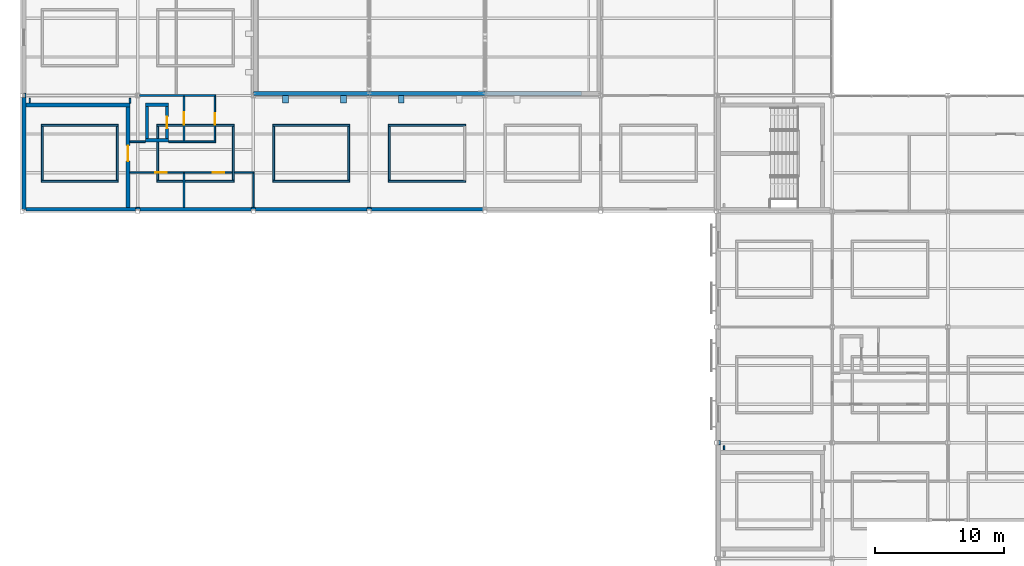
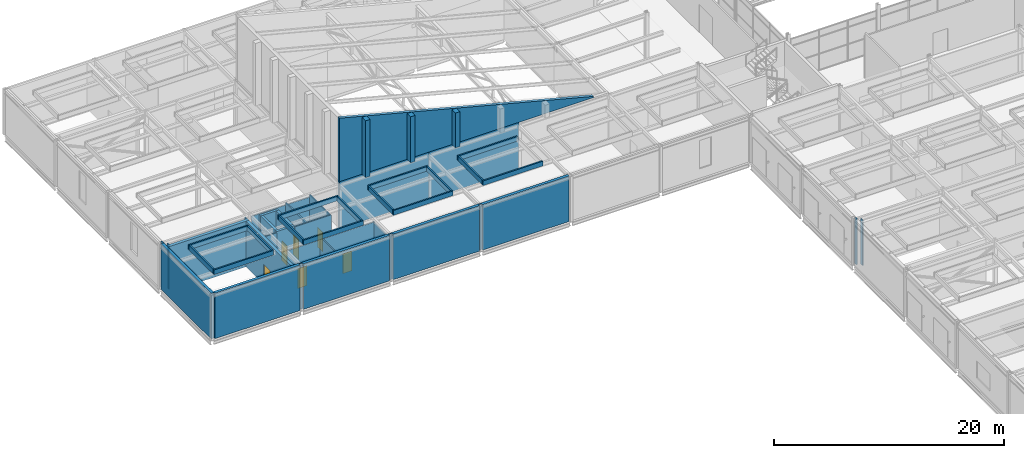
# One storey, part 76 of 115: 48 walls, 6 doors, 6 openings.
"""IFC4 building model written with IfcOpenShell, lengths in metres."""

from ifc_helpers import new_model, si_unit, direction, frame, frame_2d, origin, place, context, subcontext, project, spatial, polyline, rectangle, outline, extrude, material, layer, layer_set, type_object, element, fill, save


model = new_model("IFC4")

# Units and contexts
model_context = context("Model", 3, precision=1e-05, world=origin(), true_north=direction((0.0, 1.0)))
body_context = subcontext(model_context, "Body", "Model", "MODEL_VIEW")
ifc_project = project(units=[si_unit("LENGTHUNIT", "METRE"), si_unit("AREAUNIT", "SQUARE_METRE"), si_unit("VOLUMEUNIT", "CUBIC_METRE"), si_unit("PLANEANGLEUNIT", "RADIAN"), si_unit("MASSUNIT", "GRAM", prefix="KILO")], contexts=[model_context])

# Site, building, storey
site_placement = place(None, origin())
site = spatial("IfcSite", under=ifc_project, at=site_placement, CompositionType="ELEMENT")
building_placement = place(site_placement, origin())
building = spatial("IfcBuilding", under=site, at=building_placement, Name="Shorebreak Coast Museum", CompositionType="ELEMENT")
storey_placement = place(building_placement, frame((0.0, 0.0, 11.0)))
storey = spatial("IfcBuildingStorey", under=building, at=storey_placement, Name="L02", CompositionType="ELEMENT", Elevation=11.0)

# Walls
ifc_material_1 = material(Name="Concrete N50 (50 MPa)", Category="concrete")
ifc_layer_1 = layer(ifc_material_1, 0.14990234375)
ifc_layer_set_1 = layer_set([ifc_layer_1], Name="Concrete N50 (50 MPa)")
wall_type_1 = type_object("IfcWallType", Name="Column closure panel 150", PredefinedType="SOLIDWALL", material=ifc_layer_set_1)
wall_1_placement = place(storey_placement, frame((8.85009765625, 54.22509765625, 0.0), z_axis=(0.0, 0.0, 1.0), x_axis=(1.0, 0.0, 0.0)))
element("IfcWall", 1, at=wall_1_placement, inside=storey, type_object=wall_type_1, Name="Column closure panel L02 S 2G", PredefinedType="SOLIDWALL", context=body_context, shape_type="SweptSolid", body=[
    extrude(rectangle(XDim=0.322021484375, YDim=0.14990234375, at=frame_2d((0.1611328125, 0.0))), origin(), (0.0, 0.0, 1.0), 4.824951171875),
])
for number, where, z_axis, x_axis, name in (
    (2, (17.839111328125, 54.22509765625, 0.0), (0.0, 0.0, 1.0), (1.0, 0.0, 0.0), "Column closure panel L02 S 3G"),
    (3, (26.839111328125, 54.22509765625, 0.0), (0.0, 0.0, 1.0), (1.0, 0.0, 0.0), "Column closure panel L02 S 4G"),
):
    element("IfcWall", number, at=place(storey_placement, frame(where, z_axis=z_axis, x_axis=x_axis)), inside=storey, type_object=wall_type_1, Name=name, PredefinedType="SOLIDWALL", context=body_context, shape_type="SweptSolid", body=[
        extrude(rectangle(XDim=0.32177734375, YDim=0.14990234375, at=frame_2d((0.160888671875, 0.0))), origin(), (0.0, 0.0, 1.0), 4.824951171875),
    ])
for number, where, z_axis, x_axis, name in (
    (4, (0.22509765625, 62.85009765625, 0.0), (0.0, 0.0, 1.0), (0.0, 1.0, 0.0), "Column closure panel L02 W 1H"),
    (5, (54.22509765625, 35.85009765625, 0.0), (0.0, 0.0, 1.0), (0.0, 1.0, 0.0), "Column closure panel L02 W 7E"),
):
    element("IfcWall", number, at=place(storey_placement, frame(where, z_axis=z_axis, x_axis=x_axis)), inside=storey, type_object=wall_type_1, Name=name, PredefinedType="SOLIDWALL", context=body_context, shape_type="SweptSolid", body=[
        extrude(rectangle(XDim=0.322021484375, YDim=0.14990234375, at=frame_2d((0.1611328125, 0.0))), origin(), (0.0, 0.0, 1.0), 4.824951171875),
    ])
ifc_material_2 = material(Name="Plasterboard on steel stud", Category="steel")
ifc_layer_2 = layer(ifc_material_2, 0.10009765625)
ifc_layer_set_2 = layer_set([ifc_layer_2], Name="Plasterboard on steel stud")
wall_type_2 = type_object("IfcWallType", Name="Partition 100", PredefinedType="PARTITIONING", material=ifc_layer_set_2)
wall_2_placement = place(storey_placement, frame((0.60009765625, 62.449951171875, 0.0), z_axis=(0.0, 0.0, 1.0), x_axis=(0.0, 1.0, 0.0)))
element("IfcWall", 6, at=wall_2_placement, inside=storey, type_object=wall_type_2, Name="Partition L02-085", PredefinedType="PARTITIONING", context=body_context, shape_type="SweptSolid", body=[
    extrude(rectangle(XDim=0.330078125, YDim=0.10009765625, at=frame_2d((0.1650390625, 0.0))), origin(), (0.0, 0.0, 1.0), 4.741943359375),
])
wall_3_placement = place(storey_placement, frame((54.60009765625, 35.449951171875, 0.0), z_axis=(0.0, 0.0, 1.0), x_axis=(0.0, 1.0, 0.0)))
element("IfcWall", 7, at=wall_3_placement, inside=storey, type_object=wall_type_2, Name="Partition L02-101", PredefinedType="PARTITIONING", context=body_context, shape_type="SweptSolid", body=[
    extrude(rectangle(XDim=0.330078125, YDim=0.10009765625, at=frame_2d((0.1650390625, 0.0))), origin(), (0.0, 0.0, 1.0), 4.824951171875),
])

# Wall, openings, doors
ifc_material_3 = material(Name="Plasterboard on steel stud", Category="steel")
ifc_layer_3 = layer(ifc_material_3, 0.125)
ifc_layer_set_3 = layer_set([ifc_layer_3], Name="Plasterboard on steel stud")
wall_type_3 = type_object("IfcWallType", Name="Partition 125", PredefinedType="PARTITIONING", material=ifc_layer_set_3)
wall_4_placement = place(storey_placement, frame((8.39990234375, 57.0, 0.0), z_axis=(0.0, 0.0, 1.0), x_axis=(1.0, 0.0, 0.0)))
wall_4 = element("IfcWall", 8, at=wall_4_placement, inside=storey, type_object=wall_type_3, Name="Partition L02-035", PredefinedType="PARTITIONING", context=body_context, shape_type="SweptSolid", body=[
    extrude(rectangle(XDim=9.66259765625, YDim=0.125, at=frame_2d((4.831298828125, 0.0))), origin(), (0.0, 0.0, 1.0), 4.42236328125),
])
opening_1_placement = place(wall_4_placement, frame((1.949951171875, 0.0, 0.0)))
opening_1 = element("IfcOpeningElement", 9, at=opening_1_placement, cuts=wall_4, Name="Opening D2049", PredefinedType="OPENING", context=body_context, shape_type="SweptSolid", body=[
    extrude(rectangle(XDim=0.89990234375, YDim=2.10009765625, at=frame_2d((0.449951171875, 1.050048828125))), frame((0.0, 0.072509765625, 0.0), z_axis=(0.0, -1.0, 0.0), x_axis=(1.0, 0.0, 0.0)), (0.0, 0.0, 1.0), 0.14501953125),
])
opening_2_placement = place(wall_4_placement, frame((6.449951171875, 0.0, 0.0)))
opening_2 = element("IfcOpeningElement", 10, at=opening_2_placement, cuts=wall_4, Name="Opening D2050", PredefinedType="OPENING", context=body_context, shape_type="SweptSolid", body=[
    extrude(rectangle(XDim=0.89990234375, YDim=2.10009765625, at=frame_2d((0.449951171875, 1.050048828125))), frame((0.0, 0.072509765625, 0.0), z_axis=(0.0, -1.0, 0.0), x_axis=(1.0, 0.0, 0.0)), (0.0, 0.0, 1.0), 0.14501953125),
])
ifc_material_4 = material(Name="Timber", Category="wood")
door_type_1 = type_object("IfcDoorType", Name="Interior door 900x2100", OperationType="SINGLE_SWING_LEFT", PredefinedType="DOOR", material=ifc_material_4)
door_1_placement = place(opening_1_placement, origin())
door_1 = element("IfcDoor", 11, at=door_1_placement, inside=storey, type_object=door_type_1, Name="Door D2049 Accessible WC W", OperationType="SINGLE_SWING_RIGHT", OverallHeight=2.10009765625, OverallWidth=0.89990234375, PredefinedType="DOOR", context=body_context, shape_type="SweptSolid", body=[
    extrude(rectangle(XDim=0.89990234375, YDim=2.10009765625, at=frame_2d((0.449951171875, 1.050048828125))), frame((0.0, 0.02490234375, 0.0), z_axis=(0.0, -1.0, 0.0), x_axis=(1.0, 0.0, 0.0)), (0.0, 0.0, 1.0), 0.050048828125),
])
fill(opening_1, door_1)
door_2_placement = place(opening_2_placement, origin())
door_2 = element("IfcDoor", 12, at=door_2_placement, inside=storey, type_object=door_type_1, Name="Door D2050 Male WC W", OperationType="SINGLE_SWING_RIGHT", OverallHeight=2.10009765625, OverallWidth=0.89990234375, PredefinedType="DOOR", context=body_context, shape_type="SweptSolid", body=[
    extrude(rectangle(XDim=0.89990234375, YDim=2.10009765625, at=frame_2d((0.449951171875, 1.050048828125))), frame((0.0, 0.02490234375, 0.0), z_axis=(0.0, -1.0, 0.0), x_axis=(1.0, 0.0, 0.0)), (0.0, 0.0, 1.0), 0.050048828125),
])
fill(opening_2, door_2)

# Walls
wall_5_placement = place(storey_placement, frame((8.39990234375, 59.39990234375, 0.0), z_axis=(0.0, 0.0, 1.0), x_axis=(1.0, 0.0, 0.0)))
element("IfcWall", 13, at=wall_5_placement, inside=storey, type_object=wall_type_3, Name="Partition L02-037", PredefinedType="PARTITIONING", context=body_context, shape_type="SweptSolid", body=[
    extrude(rectangle(XDim=1.2001953125, YDim=0.125, at=frame_2d((0.60009765625, 0.0))), origin(), (0.0, 0.0, 1.0), 4.741943359375),
])
wall_6_placement = place(storey_placement, frame((11.39990234375, 59.39990234375, 0.0), z_axis=(0.0, 0.0, 1.0), x_axis=(1.0, 0.0, 0.0)))
element("IfcWall", 14, at=wall_6_placement, inside=storey, type_object=wall_type_3, Name="Partition L02-038", PredefinedType="PARTITIONING", context=body_context, shape_type="SweptSolid", body=[
    extrude(rectangle(XDim=3.66259765625, YDim=0.125, at=frame_2d((1.831298828125, 0.0))), origin(), (0.0, 0.0, 1.0), 4.741943359375),
])
wall_7_placement = place(storey_placement, frame((9.153564453125, 63.0, 0.0), z_axis=(0.0, 0.0, 1.0), x_axis=(1.0, 0.0, 0.0)))
element("IfcWall", 15, at=wall_7_placement, inside=storey, type_object=wall_type_3, Name="Partition L02-042", PredefinedType="PARTITIONING", context=body_context, shape_type="SweptSolid", body=[
    extrude(rectangle(XDim=5.908935546875, YDim=0.125, at=frame_2d((2.95458984375, 0.0))), origin(), (0.0, 0.0, 1.0), 4.469482421875),
])
wall_8_placement = place(storey_placement, frame((8.39990234375, 62.39990234375, 0.0), z_axis=(0.0, 0.0, 1.0), x_axis=(0.0, 1.0, 0.0)))
element("IfcWall", 16, at=wall_8_placement, inside=storey, type_object=wall_type_3, Name="Partition L02-087", PredefinedType="PARTITIONING", context=body_context, shape_type="SweptSolid", body=[
    extrude(rectangle(XDim=0.380126953125, YDim=0.125, at=frame_2d((0.18994140625, 0.0))), origin(), (0.0, 0.0, 1.0), 4.741943359375),
])
wall_9_placement = place(storey_placement, frame((12.60009765625, 54.300048828125, 0.0), z_axis=(0.0, 0.0, 1.0), x_axis=(0.0, 1.0, 0.0)))
element("IfcWall", 17, at=wall_9_placement, inside=storey, type_object=wall_type_3, Name="Partition L02-091", PredefinedType="PARTITIONING", context=body_context, shape_type="SweptSolid", body=[
    extrude(rectangle(XDim=2.637451171875, YDim=0.125, at=frame_2d((1.31884765625, 0.0))), origin(), (0.0, 0.0, 1.0), 4.741943359375),
])

# Wall, opening, door
wall_10_placement = place(storey_placement, frame((12.60009765625, 59.46240234375, 0.0), z_axis=(0.0, 0.0, 1.0), x_axis=(0.0, 1.0, 0.0)))
wall_10 = element("IfcWall", 18, at=wall_10_placement, inside=storey, type_object=wall_type_3, Name="Partition L02-092", PredefinedType="PARTITIONING", context=body_context, shape_type="SweptSolid", body=[
    extrude(rectangle(XDim=3.47509765625, YDim=0.125, at=frame_2d((1.737548828125, 0.0))), origin(), (0.0, 0.0, 1.0), 4.741943359375),
])
opening_3_placement = place(wall_10_placement, frame((1.25, 0.0, 0.0)))
opening_3 = element("IfcOpeningElement", 19, at=opening_3_placement, cuts=wall_10, Name="Opening D2047", PredefinedType="OPENING", context=body_context, shape_type="SweptSolid", body=[
    extrude(rectangle(XDim=1.0, YDim=2.10009765625, at=frame_2d((0.5, 1.050048828125))), frame((0.0, 0.072509765625, 0.0), z_axis=(0.0, -1.0, 0.0), x_axis=(1.0, 0.0, 0.0)), (0.0, 0.0, 1.0), 0.14501953125),
])
ifc_material_5 = material(Name="Timber", Category="wood")
door_type_2 = type_object("IfcDoorType", Name="Interior door 1000x2100", OperationType="SINGLE_SWING_LEFT", PredefinedType="DOOR", material=ifc_material_5)
door_3_placement = place(opening_3_placement, origin())
door_3 = element("IfcDoor", 20, at=door_3_placement, inside=storey, type_object=door_type_2, Name="Door D2047 Cleaner Store W", OperationType="SINGLE_SWING_RIGHT", OverallHeight=2.10009765625, OverallWidth=1.0, PredefinedType="DOOR", context=body_context, shape_type="SweptSolid", body=[
    extrude(rectangle(XDim=1.0, YDim=2.10009765625, at=frame_2d((0.5, 1.050048828125))), frame((0.0, 0.02490234375, 0.0), z_axis=(0.0, -1.0, 0.0), x_axis=(1.0, 0.0, 0.0)), (0.0, 0.0, 1.0), 0.050048828125),
])
fill(opening_3, door_3)

wall_11_placement = place(storey_placement, frame((15.0, 59.46240234375, 0.0), z_axis=(0.0, 0.0, 1.0), x_axis=(0.0, 1.0, 0.0)))
wall_11 = element("IfcWall", 21, at=wall_11_placement, inside=storey, type_object=wall_type_3, Name="Partition L02-093", PredefinedType="PARTITIONING", context=body_context, shape_type="SweptSolid", body=[
    extrude(rectangle(XDim=3.47509765625, YDim=0.125, at=frame_2d((1.737548828125, 0.0))), origin(), (0.0, 0.0, 1.0), 4.741943359375),
])
opening_4_placement = place(wall_11_placement, frame((1.25, 0.0, 0.0)))
opening_4 = element("IfcOpeningElement", 22, at=opening_4_placement, cuts=wall_11, Name="Opening D2048", PredefinedType="OPENING", context=body_context, shape_type="SweptSolid", body=[
    extrude(rectangle(XDim=0.89990234375, YDim=2.10009765625, at=frame_2d((0.449951171875, 1.050048828125))), frame((0.0, 0.072509765625, 0.0), z_axis=(0.0, -1.0, 0.0), x_axis=(1.0, 0.0, 0.0)), (0.0, 0.0, 1.0), 0.14501953125),
])
door_4_placement = place(opening_4_placement, origin())
door_4 = element("IfcDoor", 23, at=door_4_placement, inside=storey, type_object=door_type_1, Name="Door D2048 Female WC W", OperationType="SINGLE_SWING_RIGHT", OverallHeight=2.10009765625, OverallWidth=0.89990234375, PredefinedType="DOOR", context=body_context, shape_type="SweptSolid", body=[
    extrude(rectangle(XDim=0.89990234375, YDim=2.10009765625, at=frame_2d((0.449951171875, 1.050048828125))), frame((0.0, 0.02490234375, 0.0), z_axis=(0.0, -1.0, 0.0), x_axis=(1.0, 0.0, 0.0)), (0.0, 0.0, 1.0), 0.050048828125),
])
fill(opening_4, door_4)

# Walls
wall_12_placement = place(storey_placement, frame((18.0, 54.300048828125, 0.0), z_axis=(0.0, 0.0, 1.0), x_axis=(0.0, 1.0, 0.0)))
element("IfcWall", 24, at=wall_12_placement, inside=storey, type_object=wall_type_3, Name="Partition L02-094", PredefinedType="PARTITIONING", context=body_context, shape_type="SweptSolid", body=[
    extrude(rectangle(XDim=2.637451171875, YDim=0.125, at=frame_2d((1.31884765625, 0.0))), origin(), (0.0, 0.0, 1.0), 4.37109375),
])
ifc_material_6 = material(Name="Concrete N50 (50 MPa)", Category="concrete")
ifc_layer_4 = layer(ifc_material_6, 0.14990234375)
ifc_layer_set_4 = layer_set([ifc_layer_4], Name="Concrete N50 (50 MPa)")
wall_type_4 = type_object("IfcWallType", Name="Planter wall 150 high 500", PredefinedType="PARAPET", material=ifc_layer_set_4)
for number, where, z_axis, x_axis, name in (
    (25, (1.5, 56.324951171875, 5.0), (0.0, 0.0, 1.0), (1.0, 0.0, 0.0), "Planter WDECK-S 1 south wall"),
    (26, (1.5, 60.675048828125, 5.0), (0.0, 0.0, 1.0), (1.0, 0.0, 0.0), "Planter WDECK-S 1 north wall"),
):
    element("IfcWall", number, at=place(storey_placement, frame(where, z_axis=z_axis, x_axis=x_axis)), inside=storey, type_object=wall_type_4, Name=name, PredefinedType="PARAPET", context=body_context, shape_type="SweptSolid", body=[
        extrude(rectangle(XDim=6.0, YDim=0.14990234375, at=frame_2d((3.0, 0.0))), origin(), (0.0, 0.0, 1.0), 0.5),
    ])
for number, where, z_axis, x_axis, name in (
    (27, (1.574951171875, 56.39990234375, 5.0), (0.0, 0.0, 1.0), (0.0, 1.0, 0.0), "Planter WDECK-S 1 west wall"),
    (28, (7.425048828125, 56.39990234375, 5.0), (0.0, 0.0, 1.0), (0.0, 1.0, 0.0), "Planter WDECK-S 1 east wall"),
):
    element("IfcWall", number, at=place(storey_placement, frame(where, z_axis=z_axis, x_axis=x_axis)), inside=storey, type_object=wall_type_4, Name=name, PredefinedType="PARAPET", context=body_context, shape_type="SweptSolid", body=[
        extrude(rectangle(XDim=4.2001953125, YDim=0.14990234375, at=frame_2d((2.10009765625, 0.0))), origin(), (0.0, 0.0, 1.0), 0.5),
    ])
for number, where, z_axis, x_axis, name in (
    (29, (10.5, 56.324951171875, 5.0), (0.0, 0.0, 1.0), (1.0, 0.0, 0.0), "Planter WDECK-S 2 south wall"),
    (30, (10.5, 60.675048828125, 5.0), (0.0, 0.0, 1.0), (1.0, 0.0, 0.0), "Planter WDECK-S 2 north wall"),
):
    element("IfcWall", number, at=place(storey_placement, frame(where, z_axis=z_axis, x_axis=x_axis)), inside=storey, type_object=wall_type_4, Name=name, PredefinedType="PARAPET", context=body_context, shape_type="SweptSolid", body=[
        extrude(rectangle(XDim=6.0, YDim=0.14990234375, at=frame_2d((3.0, 0.0))), origin(), (0.0, 0.0, 1.0), 0.5),
    ])
for number, where, z_axis, x_axis, name in (
    (31, (10.574951171875, 56.39990234375, 5.0), (0.0, 0.0, 1.0), (0.0, 1.0, 0.0), "Planter WDECK-S 2 west wall"),
    (32, (16.425048828125, 56.39990234375, 5.0), (0.0, 0.0, 1.0), (0.0, 1.0, 0.0), "Planter WDECK-S 2 east wall"),
):
    element("IfcWall", number, at=place(storey_placement, frame(where, z_axis=z_axis, x_axis=x_axis)), inside=storey, type_object=wall_type_4, Name=name, PredefinedType="PARAPET", context=body_context, shape_type="SweptSolid", body=[
        extrude(rectangle(XDim=4.2001953125, YDim=0.14990234375, at=frame_2d((2.10009765625, 0.0))), origin(), (0.0, 0.0, 1.0), 0.5),
    ])
for number, where, z_axis, x_axis, name in (
    (33, (19.5, 56.324951171875, 5.0), (0.0, 0.0, 1.0), (1.0, 0.0, 0.0), "Planter WDECK-S 3 south wall"),
    (34, (19.5, 60.675048828125, 5.0), (0.0, 0.0, 1.0), (1.0, 0.0, 0.0), "Planter WDECK-S 3 north wall"),
):
    element("IfcWall", number, at=place(storey_placement, frame(where, z_axis=z_axis, x_axis=x_axis)), inside=storey, type_object=wall_type_4, Name=name, PredefinedType="PARAPET", context=body_context, shape_type="SweptSolid", body=[
        extrude(rectangle(XDim=6.0, YDim=0.14990234375, at=frame_2d((3.0, 0.0))), origin(), (0.0, 0.0, 1.0), 0.5),
    ])
for number, where, z_axis, x_axis, name in (
    (35, (19.574951171875, 56.39990234375, 5.0), (0.0, 0.0, 1.0), (0.0, 1.0, 0.0), "Planter WDECK-S 3 west wall"),
    (36, (25.425048828125, 56.39990234375, 5.0), (0.0, 0.0, 1.0), (0.0, 1.0, 0.0), "Planter WDECK-S 3 east wall"),
):
    element("IfcWall", number, at=place(storey_placement, frame(where, z_axis=z_axis, x_axis=x_axis)), inside=storey, type_object=wall_type_4, Name=name, PredefinedType="PARAPET", context=body_context, shape_type="SweptSolid", body=[
        extrude(rectangle(XDim=4.2001953125, YDim=0.14990234375, at=frame_2d((2.10009765625, 0.0))), origin(), (0.0, 0.0, 1.0), 0.5),
    ])
for number, where, z_axis, x_axis, name in (
    (37, (28.5, 56.324951171875, 5.0), (0.0, 0.0, 1.0), (1.0, 0.0, 0.0), "Planter WDECK-S 4 south wall"),
    (38, (28.5, 60.675048828125, 5.0), (0.0, 0.0, 1.0), (1.0, 0.0, 0.0), "Planter WDECK-S 4 north wall"),
):
    element("IfcWall", number, at=place(storey_placement, frame(where, z_axis=z_axis, x_axis=x_axis)), inside=storey, type_object=wall_type_4, Name=name, PredefinedType="PARAPET", context=body_context, shape_type="SweptSolid", body=[
        extrude(rectangle(XDim=6.0, YDim=0.14990234375, at=frame_2d((3.0, 0.0))), origin(), (0.0, 0.0, 1.0), 0.5),
    ])
wall_13_placement = place(storey_placement, frame((28.574951171875, 56.39990234375, 5.0), z_axis=(0.0, 0.0, 1.0), x_axis=(0.0, 1.0, 0.0)))
element("IfcWall", 39, at=wall_13_placement, inside=storey, type_object=wall_type_4, Name="Planter WDECK-S 4 west wall", PredefinedType="PARAPET", context=body_context, shape_type="SweptSolid", body=[
    extrude(rectangle(XDim=4.2001953125, YDim=0.14990234375, at=frame_2d((2.10009765625, 0.0))), origin(), (0.0, 0.0, 1.0), 0.5),
])
ifc_material_7 = material(Name="Concrete N50 (50 MPa)", Category="concrete")
ifc_layer_5 = layer(ifc_material_7, 0.300048828125)
ifc_layer_set_5 = layer_set([ifc_layer_5], Name="Concrete N50 (50 MPa)")
wall_type_5 = type_object("IfcWallType", Name="Precast board-marked panel 300", PredefinedType="SOLIDWALL", material=ifc_layer_set_5)
wall_14_placement = place(storey_placement, frame((9.172119140625, 54.14990234375, 0.0), z_axis=(0.0, 0.0, 1.0), x_axis=(1.0, 0.0, 0.0)))
element("IfcWall", 40, at=wall_14_placement, inside=storey, type_object=wall_type_5, Name="External wall L02 S 2G", PredefinedType="SOLIDWALL", context=body_context, shape_type="SweptSolid", body=[
    extrude(rectangle(XDim=8.6669921875, YDim=0.300048828125, at=frame_2d((4.33349609375, 0.0))), origin(), (0.0, 0.0, 1.0), 4.824951171875),
])
for number, where, z_axis, x_axis, name in (
    (41, (18.160888671875, 54.14990234375, 0.0), (0.0, 0.0, 1.0), (1.0, 0.0, 0.0), "External wall L02 S 3G"),
    (42, (27.160888671875, 54.14990234375, 0.0), (0.0, 0.0, 1.0), (1.0, 0.0, 0.0), "External wall L02 S 4G"),
):
    element("IfcWall", number, at=place(storey_placement, frame(where, z_axis=z_axis, x_axis=x_axis)), inside=storey, type_object=wall_type_5, Name=name, PredefinedType="SOLIDWALL", context=body_context, shape_type="SweptSolid", body=[
        extrude(rectangle(XDim=8.67822265625, YDim=0.300048828125, at=frame_2d((4.339111328125, 0.0))), origin(), (0.0, 0.0, 1.0), 4.824951171875),
    ])
ifc_material_8 = material(Name="Concrete N50 (50 MPa)", Category="concrete")
ifc_layer_6 = layer(ifc_material_8, 0.25)
ifc_layer_set_6 = layer_set([ifc_layer_6], Name="Concrete N50 (50 MPa)")
wall_type_6 = type_object("IfcWallType", Name="RC riser wall 250", PredefinedType="STANDARD", material=ifc_layer_set_6)
for number, where, z_axis, x_axis, name in (
    (43, (9.60009765625, 59.52490234375, 0.0), (0.0, 0.0, 1.0), (1.0, 0.0, 0.0), "Riser wall R-WC-W L02 S"),
    (44, (9.60009765625, 62.27490234375, 0.0), (0.0, 0.0, 1.0), (1.0, 0.0, 0.0), "Riser wall R-WC-W L02 N"),
):
    element("IfcWall", number, at=place(storey_placement, frame(where, z_axis=z_axis, x_axis=x_axis)), inside=storey, type_object=wall_type_6, Name=name, PredefinedType="STANDARD", context=body_context, shape_type="SweptSolid", body=[
        extrude(rectangle(XDim=1.7998046875, YDim=0.25, at=frame_2d((0.89990234375, 0.0))), origin(), (0.0, 0.0, 1.0), 4.824951171875),
    ])
wall_15_placement = place(storey_placement, frame((9.72509765625, 59.64990234375, 0.0), z_axis=(0.0, 0.0, 1.0), x_axis=(0.0, 1.0, 0.0)))
element("IfcWall", 45, at=wall_15_placement, inside=storey, type_object=wall_type_6, Name="Riser wall R-WC-W L02 W", PredefinedType="STANDARD", context=body_context, shape_type="SweptSolid", body=[
    extrude(rectangle(XDim=2.5, YDim=0.25, at=frame_2d((1.25, 0.0))), origin(), (0.0, 0.0, 1.0), 4.824951171875),
])

# Wall, opening, door
wall_16_placement = place(storey_placement, frame((11.27490234375, 59.64990234375, 0.0), z_axis=(0.0, 0.0, 1.0), x_axis=(0.0, 1.0, 0.0)))
wall_16 = element("IfcWall", 46, at=wall_16_placement, inside=storey, type_object=wall_type_6, Name="Riser wall R-WC-W L02 E", PredefinedType="STANDARD", context=body_context, shape_type="SweptSolid", body=[
    extrude(rectangle(XDim=2.5, YDim=0.25, at=frame_2d((1.25, 0.0))), origin(), (0.0, 0.0, 1.0), 4.824951171875),
])
opening_5_placement = place(wall_16_placement, frame((0.800048828125, 0.0, 0.0)))
opening_5 = element("IfcOpeningElement", 47, at=opening_5_placement, cuts=wall_16, Name="Opening D2603", PredefinedType="OPENING", context=body_context, shape_type="SweptSolid", body=[
    extrude(rectangle(XDim=0.89990234375, YDim=2.10009765625, at=frame_2d((0.449951171875, 1.050048828125))), frame((0.0, 0.135009765625, 0.0), z_axis=(0.0, -1.0, 0.0), x_axis=(1.0, 0.0, 0.0)), (0.0, 0.0, 1.0), 0.27001953125),
])
ifc_material_9 = material(Name="Steel Grade 300", Category="steel")
door_type_3 = type_object("IfcDoorType", Name="Riser door 900x2100", OperationType="SINGLE_SWING_LEFT", PredefinedType="DOOR", material=ifc_material_9)
door_5_placement = place(opening_5_placement, origin())
door_5 = element("IfcDoor", 48, at=door_5_placement, inside=storey, type_object=door_type_3, Name="Riser door R-WC-W L02", OperationType="SINGLE_SWING_LEFT", OverallHeight=2.10009765625, OverallWidth=0.89990234375, PredefinedType="DOOR", context=body_context, shape_type="SweptSolid", body=[
    extrude(rectangle(XDim=0.89990234375, YDim=2.10009765625, at=frame_2d((0.449951171875, 1.050048828125))), frame((0.0, 0.02490234375, 0.0), z_axis=(0.0, -1.0, 0.0), x_axis=(1.0, 0.0, 0.0)), (0.0, 0.0, 1.0), 0.050048828125),
])
fill(opening_5, door_5)

# Walls
ifc_material_10 = material(Name="Concrete N50 (50 MPa)", Category="concrete")
ifc_layer_7 = layer(ifc_material_10, 0.300048828125)
ifc_layer_set_7 = layer_set([ifc_layer_7], Name="Concrete N50 (50 MPa)")
wall_type_7 = type_object("IfcWallType", Name="RC wall 300", PredefinedType="SHEAR", material=ifc_layer_set_7)
wall_17_placement = place(storey_placement, frame((0.300048828125, 54.14990234375, 0.0), z_axis=(0.0, 0.0, 1.0), x_axis=(1.0, 0.0, 0.0)))
element("IfcWall", 49, at=wall_17_placement, inside=storey, type_object=wall_type_7, Name="Stair core wall ST05 L02 S", PredefinedType="SHEAR", context=body_context, shape_type="SweptSolid", body=[
    extrude(rectangle(XDim=8.550048828125, YDim=0.300048828125, at=frame_2d((4.27490234375, 0.0))), origin(), (0.0, 0.0, 1.0), 4.824951171875),
])
wall_18_placement = place(storey_placement, frame((0.300048828125, 62.25, 0.0), z_axis=(0.0, 0.0, 1.0), x_axis=(1.0, 0.0, 0.0)))
element("IfcWall", 50, at=wall_18_placement, inside=storey, type_object=wall_type_7, Name="Stair core wall ST05 L02 N", PredefinedType="SHEAR", context=body_context, shape_type="SweptSolid", body=[
    extrude(rectangle(XDim=8.099853515625, YDim=0.300048828125, at=frame_2d((4.0498046875, 0.0))), origin(), (0.0, 0.0, 1.0), 4.824951171875),
])
wall_19_placement = place(storey_placement, frame((0.14990234375, 54.14990234375, 0.0), z_axis=(0.0, 0.0, 1.0), x_axis=(0.0, 1.0, 0.0)))
element("IfcWall", 51, at=wall_19_placement, inside=storey, type_object=wall_type_7, Name="Stair core wall ST05 L02 W", PredefinedType="SHEAR", context=body_context, shape_type="SweptSolid", body=[
    extrude(rectangle(XDim=8.7001953125, YDim=0.300048828125, at=frame_2d((4.35009765625, 0.0))), origin(), (0.0, 0.0, 1.0), 4.824951171875),
])

# Wall, opening, door
wall_20_placement = place(storey_placement, frame((8.25, 54.300048828125, 0.0), z_axis=(0.0, 0.0, 1.0), x_axis=(0.0, 1.0, 0.0)))
wall_20 = element("IfcWall", 52, at=wall_20_placement, inside=storey, type_object=wall_type_7, Name="Stair core wall ST05 L02 E", PredefinedType="SHEAR", context=body_context, shape_type="SweptSolid", body=[
    extrude(rectangle(XDim=7.800048828125, YDim=0.300048828125, at=frame_2d((3.89990234375, 0.0))), origin(), (0.0, 0.0, 1.0), 4.824951171875),
])
opening_6_placement = place(wall_20_placement, frame((3.60009765625, 0.0, 0.0)))
opening_6 = element("IfcOpeningElement", 53, at=opening_6_placement, cuts=wall_20, Name="Opening D2805", PredefinedType="OPENING", context=body_context, shape_type="SweptSolid", body=[
    extrude(rectangle(XDim=1.199951171875, YDim=2.10009765625, at=frame_2d((0.60009765625, 1.050048828125))), frame((0.0, 0.159912109375, 0.0), z_axis=(0.0, -1.0, 0.0), x_axis=(1.0, 0.0, 0.0)), (0.0, 0.0, 1.0), 0.320068359375),
])
ifc_material_11 = material(Name="Steel Grade 300", Category="steel")
door_type_4 = type_object("IfcDoorType", Name="Fire door 1200x2100", OperationType="SINGLE_SWING_LEFT", PredefinedType="DOOR", material=ifc_material_11)
door_6_placement = place(opening_6_placement, origin())
door_6 = element("IfcDoor", 54, at=door_6_placement, inside=storey, type_object=door_type_4, Name="Stair door ST05 L02", OperationType="SINGLE_SWING_LEFT", OverallHeight=2.10009765625, OverallWidth=1.199951171875, PredefinedType="DOOR", context=body_context, shape_type="SweptSolid", body=[
    extrude(rectangle(XDim=1.199951171875, YDim=2.10009765625, at=frame_2d((0.60009765625, 1.050048828125))), frame((0.0, 0.02490234375, 0.0), z_axis=(0.0, -1.0, 0.0), x_axis=(1.0, 0.0, 0.0)), (0.0, 0.0, 1.0), 0.050048828125),
])
fill(opening_6, door_6)

# Walls
for number, where, z_axis, x_axis, name in (
    (55, (18.0, 63.14990234375, 0.0), (0.0, 0.0, 1.0), (1.0, 0.0, 0.0), "Auditorium wall L02 S1"),
    (56, (27.0, 63.14990234375, 0.0), (0.0, 0.0, 1.0), (1.0, 0.0, 0.0), "Auditorium wall L02 S2"),
):
    element("IfcWall", number, at=place(storey_placement, frame(where, z_axis=z_axis, x_axis=x_axis)), inside=storey, type_object=wall_type_7, Name=name, PredefinedType="SHEAR", context=body_context, shape_type="SweptSolid", body=[
        extrude(rectangle(XDim=9.0, YDim=0.300048828125, at=frame_2d((4.5, 0.0))), origin(), (0.0, 0.0, 1.0), 5.0),
    ])
ifc_material_12 = material(Name="Concrete N50 (50 MPa)", Category="concrete")
ifc_layer_8 = layer(ifc_material_12, 0.449951171875)
ifc_layer_set_8 = layer_set([ifc_layer_8], Name="Concrete N50 (50 MPa)")
wall_type_8 = type_object("IfcWallType", Name="Shell buttress rib 450", PredefinedType="SOLIDWALL", material=ifc_layer_set_8)
wall_21_placement = place(storey_placement, frame((20.5, 63.0, 5.0), z_axis=(0.0, 0.0, 1.0), x_axis=(0.0, -1.0, 0.0)))
element("IfcWall", 57, at=wall_21_placement, inside=storey, type_object=wall_type_8, Name="Hall side rib S01", PredefinedType="SOLIDWALL", context=body_context, shape_type="SweptSolid", body=[
    extrude(rectangle(XDim=0.60009765625, YDim=0.449951171875, at=frame_2d((0.300048828125, 0.0))), origin(), (0.0, 0.0, 1.0), 6.035400390625),
])
wall_22_placement = place(storey_placement, frame((25.0, 63.0, 5.0), z_axis=(0.0, 0.0, 1.0), x_axis=(0.0, -1.0, 0.0)))
element("IfcWall", 58, at=wall_22_placement, inside=storey, type_object=wall_type_8, Name="Hall side rib S02", PredefinedType="SOLIDWALL", context=body_context, shape_type="SweptSolid", body=[
    extrude(rectangle(XDim=0.60009765625, YDim=0.449951171875, at=frame_2d((0.300048828125, 0.0))), origin(), (0.0, 0.0, 1.0), 4.86865234375),
])
wall_23_placement = place(storey_placement, frame((29.5, 63.0, 5.0), z_axis=(0.0, 0.0, 1.0), x_axis=(0.0, -1.0, 0.0)))
element("IfcWall", 59, at=wall_23_placement, inside=storey, type_object=wall_type_8, Name="Hall side rib S03", PredefinedType="SOLIDWALL", context=body_context, shape_type="SweptSolid", body=[
    extrude(rectangle(XDim=0.60009765625, YDim=0.449951171875, at=frame_2d((0.300048828125, 0.0))), origin(), (0.0, 0.0, 1.0), 3.701904296875),
])
ifc_material_13 = material(Name="Concrete N50 (50 MPa)", Category="concrete")
ifc_layer_9 = layer(ifc_material_13, 0.300048828125)
ifc_layer_set_9 = layer_set([ifc_layer_9], Name="Concrete N50 (50 MPa)")
wall_type_9 = type_object("IfcWallType", Name="Shell side wall 300", PredefinedType="SOLIDWALL", material=ifc_layer_set_9)
wall_24_placement = place(storey_placement, frame((18.0, 63.14990234375, 5.0), z_axis=(0.0, 0.0, 1.0), x_axis=(1.0, 0.0, 0.0)))
element("IfcWall", 60, at=wall_24_placement, inside=storey, type_object=wall_type_9, Name="Hall side wall S", PredefinedType="SOLIDWALL", context=body_context, shape_type="SweptSolid", body=[
    extrude(outline(polyline([(0.0, 0.0), (25.5, 0.0), (25.5, 0.130615234375), (0.0, 6.74169921875), (0.0, 0.0)])), frame((0.0, 0.14990234375, 0.0), z_axis=(0.0, -1.0, 0.0), x_axis=(1.0, 0.0, 0.0)), (0.0, 0.0, 1.0), 0.300048828125),
])

save(model, "model.ifc")
